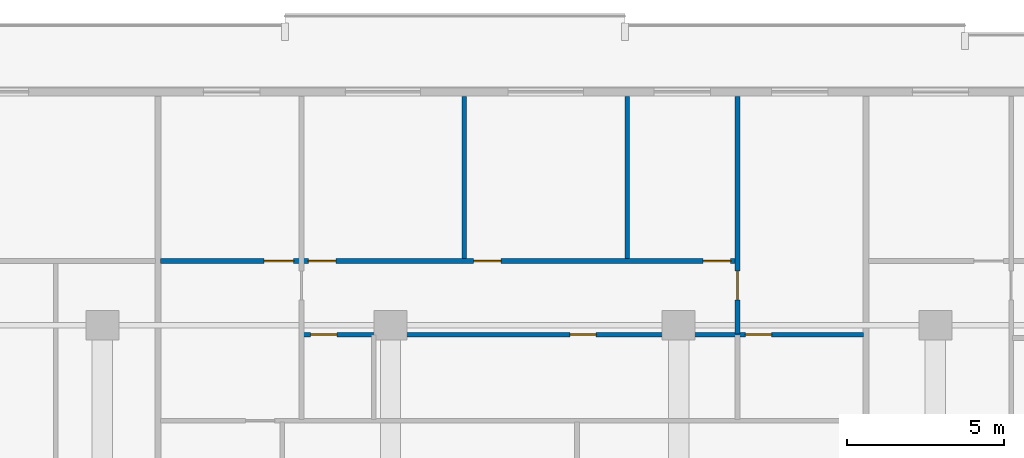
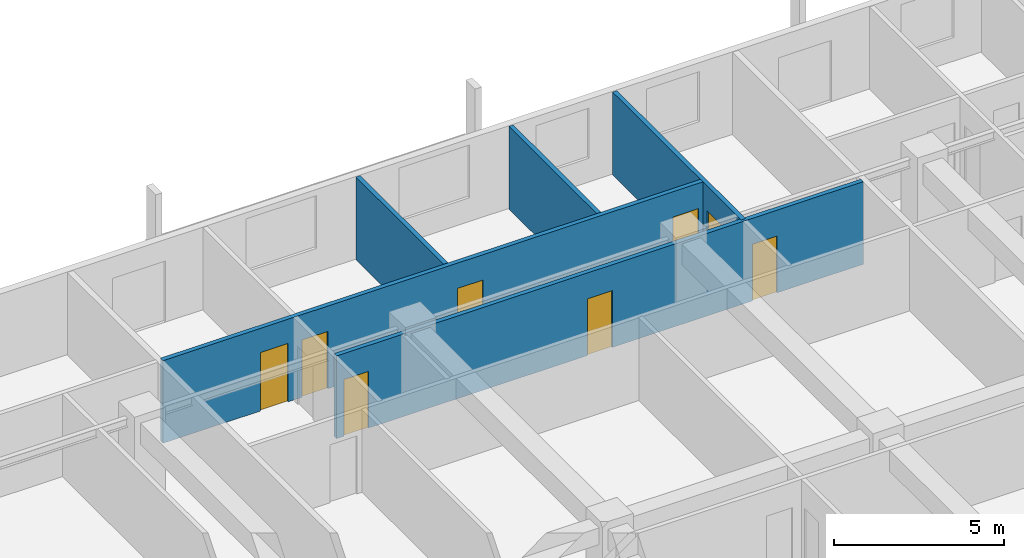
# One storey, part 15 of 23: 8 doors, 5 walls, 8 openings.
"""IFC4 building model written with IfcOpenShell, lengths in metres."""

from ifc_helpers import new_model, si_unit, direction, frame, frame_2d, origin, place, context, subcontext, project, spatial, rectangle, extrude, material, layer, layer_set, type_object, element, fill, save


model = new_model("IFC4")

# Units and contexts
model_context = context("Model", 3, precision=1e-05, world=origin(), true_north=direction((0.0, 1.0)))
body_context = subcontext(model_context, "Body", "Model", "MODEL_VIEW")
ifc_project = project(units=[si_unit("LENGTHUNIT", "METRE"), si_unit("AREAUNIT", "SQUARE_METRE"), si_unit("VOLUMEUNIT", "CUBIC_METRE"), si_unit("PLANEANGLEUNIT", "RADIAN"), si_unit("MASSUNIT", "GRAM", prefix="KILO")], contexts=[model_context])

# Site, building, storey
site_placement = place(None, origin())
site = spatial("IfcSite", under=ifc_project, at=site_placement, CompositionType="ELEMENT")
building_placement = place(site_placement, origin())
building = spatial("IfcBuilding", under=site, at=building_placement, Name="Korimba Cascade Residences", CompositionType="ELEMENT")
storey_placement = place(building_placement, frame((0.0, 0.0, 56.5)))
storey = spatial("IfcBuildingStorey", under=building, at=storey_placement, Name="L15", CompositionType="ELEMENT", Elevation=56.5)

# Walls
ifc_material_1 = material(Name="Insulated Acoustic Stud Partition", Category="gypsum")
ifc_layer = layer(ifc_material_1, 0.14990234375)
ifc_layer_set = layer_set([ifc_layer], Name="Insulated Acoustic Stud Partition")
wall_type = type_object("IfcWallType", Name="WAL-PART-150", PredefinedType="PARTITIONING", material=ifc_layer_set)
for number, where, z_axis, x_axis, name in (
    (1, (105.25732421875, 93.330078125, 0.0), (0.0, 0.0, 1.0), (0.0, 1.0, 0.0), "L15 Partition Wall WAL-L15-T1-U03-VB2"),
    (2, (110.457275390625, 93.330078125, 0.0), (0.0, 0.0, 1.0), (0.0, 1.0, 0.0), "L15 Partition Wall WAL-L15-T1-U03-VB3"),
):
    element("IfcWall", number, at=place(storey_placement, frame(where, z_axis=z_axis, x_axis=x_axis)), inside=storey, type_object=wall_type, Name=name, PredefinedType="PARTITIONING", context=body_context, shape_type="SweptSolid", body=[
        extrude(rectangle(XDim=5.169921875, YDim=0.14990234375, at=frame_2d((2.5849609375, 0.0))), origin(), (0.0, 0.0, 1.0), 2.969970703125),
    ])

# Wall, opening, door
wall_1_placement = place(storey_placement, frame((113.97998046875, 90.919921875, 0.0), z_axis=(0.0, 0.0, 1.0), x_axis=(0.0, 1.0, 0.0)))
wall_1 = element("IfcWall", 3, at=wall_1_placement, inside=storey, type_object=wall_type, Name="L15 Partition Wall WAL-L15-T1-U03-V2FULL", PredefinedType="PARTITIONING", context=body_context, shape_type="SweptSolid", body=[
    extrude(rectangle(XDim=7.580078125, YDim=0.14990234375, at=frame_2d((3.7900390625, 0.0))), origin(), (0.0, 0.0, 1.0), 2.969970703125),
])
opening_1_placement = place(wall_1_placement, frame((1.090087890625, 0.0, 0.0)))
opening_1 = element("IfcOpeningElement", 4, at=opening_1_placement, cuts=wall_1, Name="Opening D-IN1", PredefinedType="OPENING", context=body_context, shape_type="SweptSolid", body=[
    extrude(rectangle(XDim=0.919921875, YDim=2.080078125, at=frame_2d((0.4599609375, 1.0400390625))), frame((0.0, 0.0849609375, 0.0), z_axis=(0.0, -1.0, 0.0), x_axis=(1.0, 0.0, 0.0)), (0.0, 0.0, 1.0), 0.169921875),
])
ifc_material_2 = material(Name="Acoustic Timber Living Door", Category="wood")
door_type_1 = type_object("IfcDoorType", Name="DR-INT-920", OperationType="NOTDEFINED", PredefinedType="DOOR", material=ifc_material_2)
door_1_placement = place(opening_1_placement, origin())
door_1 = element("IfcDoor", 5, at=door_1_placement, inside=storey, type_object=door_type_1, Name="L15-T1-U03 Master Bedroom Door", OperationType="SINGLE_SWING_LEFT", OverallHeight=2.080078125, OverallWidth=0.919921875, PredefinedType="DOOR", context=body_context, shape_type="SweptSolid", body=[
    extrude(rectangle(XDim=0.919921875, YDim=2.080078125, at=frame_2d((0.4599609375, 1.0400390625))), frame((0.0, 0.02490234375, 0.0), z_axis=(0.0, -1.0, 0.0), x_axis=(1.0, 0.0, 0.0)), (0.0, 0.0, 1.0), 0.050048828125),
])
fill(opening_1, door_1)

# Wall, openings, doors
wall_2_placement = place(storey_placement, frame((100.097412109375, 90.89990234375, 0.0), z_axis=(0.0, 0.0, 1.0), x_axis=(1.0, 0.0, 0.0)))
wall_2 = element("IfcWall", 6, at=wall_2_placement, inside=storey, type_object=wall_type, Name="L15 Partition Wall WAL-L15-T1-U03-HWALL", PredefinedType="PARTITIONING", context=body_context, shape_type="SweptSolid", body=[
    extrude(rectangle(XDim=17.90576171875, YDim=0.14990234375, at=frame_2d((8.952880859375, 0.0))), origin(), (0.0, 0.0, 1.0), 2.969970703125),
])
opening_2_placement = place(wall_2_placement, frame((0.25, 0.0, 0.0)))
opening_2 = element("IfcOpeningElement", 7, at=opening_2_placement, cuts=wall_2, Name="Opening D-BT1", PredefinedType="OPENING", context=body_context, shape_type="SweptSolid", body=[
    extrude(rectangle(XDim=0.840087890625, YDim=2.0400390625, at=frame_2d((0.419921875, 1.02001953125))), frame((0.0, 0.0849609375, 0.0), z_axis=(0.0, -1.0, 0.0), x_axis=(1.0, 0.0, 0.0)), (0.0, 0.0, 1.0), 0.169921875),
])
opening_3_placement = place(wall_2_placement, frame((8.532958984375, 0.0, 0.0)))
opening_3 = element("IfcOpeningElement", 8, at=opening_3_placement, cuts=wall_2, Name="Opening D-BT1", PredefinedType="OPENING", context=body_context, shape_type="SweptSolid", body=[
    extrude(rectangle(XDim=0.840087890625, YDim=2.0400390625, at=frame_2d((0.419921875, 1.02001953125))), frame((0.0, 0.0849609375, 0.0), z_axis=(0.0, -1.0, 0.0), x_axis=(1.0, 0.0, 0.0)), (0.0, 0.0, 1.0), 0.169921875),
])
opening_4_placement = place(wall_2_placement, frame((14.1328125, 0.0, 0.0)))
opening_4 = element("IfcOpeningElement", 9, at=opening_4_placement, cuts=wall_2, Name="Opening D-BT1", PredefinedType="OPENING", context=body_context, shape_type="SweptSolid", body=[
    extrude(rectangle(XDim=0.840087890625, YDim=2.0400390625, at=frame_2d((0.419921875, 1.02001953125))), frame((0.0, 0.0849609375, 0.0), z_axis=(0.0, -1.0, 0.0), x_axis=(1.0, 0.0, 0.0)), (0.0, 0.0, 1.0), 0.169921875),
])
ifc_material_3 = material(Name="Moisture-Resistant Bathroom Timber Door", Category="wood")
door_type_2 = type_object("IfcDoorType", Name="DR-INT-850", OperationType="NOTDEFINED", PredefinedType="DOOR", material=ifc_material_3)
door_2_placement = place(opening_2_placement, origin())
door_2 = element("IfcDoor", 10, at=door_2_placement, inside=storey, type_object=door_type_2, Name="L15-T1-U03 Family Bathroom Door", OperationType="SINGLE_SWING_RIGHT", OverallHeight=2.0400390625, OverallWidth=0.840087890625, PredefinedType="DOOR", context=body_context, shape_type="SweptSolid", body=[
    extrude(rectangle(XDim=0.840087890625, YDim=2.0400390625, at=frame_2d((0.419921875, 1.02001953125))), frame((0.0, 0.02490234375, 0.0), z_axis=(0.0, -1.0, 0.0), x_axis=(1.0, 0.0, 0.0)), (0.0, 0.0, 1.0), 0.050048828125),
])
fill(opening_2, door_2)
door_3_placement = place(opening_3_placement, origin())
door_3 = element("IfcDoor", 11, at=door_3_placement, inside=storey, type_object=door_type_2, Name="L15-T1-U03 Dressing Room Door", OperationType="SINGLE_SWING_LEFT", OverallHeight=2.0400390625, OverallWidth=0.840087890625, PredefinedType="DOOR", context=body_context, shape_type="SweptSolid", body=[
    extrude(rectangle(XDim=0.840087890625, YDim=2.0400390625, at=frame_2d((0.419921875, 1.02001953125))), frame((0.0, 0.02490234375, 0.0), z_axis=(0.0, -1.0, 0.0), x_axis=(1.0, 0.0, 0.0)), (0.0, 0.0, 1.0), 0.050048828125),
])
fill(opening_3, door_3)
door_4_placement = place(opening_4_placement, origin())
door_4 = element("IfcDoor", 12, at=door_4_placement, inside=storey, type_object=door_type_2, Name="L15-T1-U03 En-Suite Door", OperationType="SINGLE_SWING_RIGHT", OverallHeight=2.0400390625, OverallWidth=0.840087890625, PredefinedType="DOOR", context=body_context, shape_type="SweptSolid", body=[
    extrude(rectangle(XDim=0.840087890625, YDim=2.0400390625, at=frame_2d((0.419921875, 1.02001953125))), frame((0.0, 0.02490234375, 0.0), z_axis=(0.0, -1.0, 0.0), x_axis=(1.0, 0.0, 0.0)), (0.0, 0.0, 1.0), 0.050048828125),
])
fill(opening_4, door_4)

wall_3_placement = place(storey_placement, frame((95.557373046875, 93.25, 0.0), z_axis=(0.0, 0.0, 1.0), x_axis=(1.0, 0.0, 0.0)))
wall_3 = element("IfcWall", 13, at=wall_3_placement, inside=storey, type_object=wall_type, Name="L15 Partition Wall WAL-L15-T1-U03-HZ", PredefinedType="PARTITIONING", context=body_context, shape_type="SweptSolid", body=[
    extrude(rectangle(XDim=18.422607421875, YDim=0.14990234375, at=frame_2d((9.21142578125, 0.0))), origin(), (0.0, 0.0, 1.0), 2.969970703125),
])
opening_5_placement = place(wall_3_placement, frame((3.31005859375, 0.0, 0.0)))
opening_5 = element("IfcOpeningElement", 14, at=opening_5_placement, cuts=wall_3, Name="Opening D-IN0", PredefinedType="OPENING", context=body_context, shape_type="SweptSolid", body=[
    extrude(rectangle(XDim=0.93994140625, YDim=2.10009765625, at=frame_2d((0.469970703125, 1.050048828125))), frame((0.0, 0.0849609375, 0.0), z_axis=(0.0, -1.0, 0.0), x_axis=(1.0, 0.0, 0.0)), (0.0, 0.0, 1.0), 0.169921875),
])
opening_6_placement = place(wall_3_placement, frame((4.719970703125, 0.0, 0.0)))
opening_6 = element("IfcOpeningElement", 15, at=opening_6_placement, cuts=wall_3, Name="Opening D-IN2", PredefinedType="OPENING", context=body_context, shape_type="SweptSolid", body=[
    extrude(rectangle(XDim=0.8798828125, YDim=2.06005859375, at=frame_2d((0.43994140625, 1.030029296875))), frame((0.0, 0.0849609375, 0.0), z_axis=(0.0, -1.0, 0.0), x_axis=(1.0, 0.0, 0.0)), (0.0, 0.0, 1.0), 0.169921875),
])
opening_7_placement = place(wall_3_placement, frame((9.99755859375, 0.0, 0.0)))
opening_7 = element("IfcOpeningElement", 16, at=opening_7_placement, cuts=wall_3, Name="Opening D-IN2", PredefinedType="OPENING", context=body_context, shape_type="SweptSolid", body=[
    extrude(rectangle(XDim=0.8798828125, YDim=2.06005859375, at=frame_2d((0.43994140625, 1.030029296875))), frame((0.0, 0.0849609375, 0.0), z_axis=(0.0, -1.0, 0.0), x_axis=(1.0, 0.0, 0.0)), (0.0, 0.0, 1.0), 0.169921875),
])
opening_8_placement = place(wall_3_placement, frame((17.32275390625, 0.0, 0.0)))
opening_8 = element("IfcOpeningElement", 17, at=opening_8_placement, cuts=wall_3, Name="Opening D-IN2", PredefinedType="OPENING", context=body_context, shape_type="SweptSolid", body=[
    extrude(rectangle(XDim=0.8798828125, YDim=2.06005859375, at=frame_2d((0.43994140625, 1.030029296875))), frame((0.0, 0.0849609375, 0.0), z_axis=(0.0, -1.0, 0.0), x_axis=(1.0, 0.0, 0.0)), (0.0, 0.0, 1.0), 0.169921875),
])
ifc_material_4 = material(Name="Acoustic Timber Bedroom Door", Category="wood")
door_type_3 = type_object("IfcDoorType", Name="DR-INT-880", OperationType="NOTDEFINED", PredefinedType="DOOR", material=ifc_material_4)
door_5_placement = place(opening_6_placement, origin())
door_5 = element("IfcDoor", 18, at=door_5_placement, inside=storey, type_object=door_type_3, Name="L15-T1-U03 Bedroom 2 Door", OperationType="SINGLE_SWING_LEFT", OverallHeight=2.06005859375, OverallWidth=0.8798828125, PredefinedType="DOOR", context=body_context, shape_type="SweptSolid", body=[
    extrude(rectangle(XDim=0.8798828125, YDim=2.06005859375, at=frame_2d((0.43994140625, 1.030029296875))), frame((0.0, 0.02490234375, 0.0), z_axis=(0.0, -1.0, 0.0), x_axis=(1.0, 0.0, 0.0)), (0.0, 0.0, 1.0), 0.050048828125),
])
fill(opening_6, door_5)
door_6_placement = place(opening_7_placement, origin())
door_6 = element("IfcDoor", 19, at=door_6_placement, inside=storey, type_object=door_type_3, Name="L15-T1-U03 Bedroom 3 Door", OperationType="SINGLE_SWING_RIGHT", OverallHeight=2.06005859375, OverallWidth=0.8798828125, PredefinedType="DOOR", context=body_context, shape_type="SweptSolid", body=[
    extrude(rectangle(XDim=0.8798828125, YDim=2.06005859375, at=frame_2d((0.43994140625, 1.030029296875))), frame((0.0, 0.02490234375, 0.0), z_axis=(0.0, -1.0, 0.0), x_axis=(1.0, 0.0, 0.0)), (0.0, 0.0, 1.0), 0.050048828125),
])
fill(opening_7, door_6)
door_7_placement = place(opening_8_placement, origin())
door_7 = element("IfcDoor", 20, at=door_7_placement, inside=storey, type_object=door_type_3, Name="L15-T1-U03 Study Door", OperationType="SINGLE_SWING_LEFT", OverallHeight=2.06005859375, OverallWidth=0.8798828125, PredefinedType="DOOR", context=body_context, shape_type="SweptSolid", body=[
    extrude(rectangle(XDim=0.8798828125, YDim=2.06005859375, at=frame_2d((0.43994140625, 1.030029296875))), frame((0.0, 0.02490234375, 0.0), z_axis=(0.0, -1.0, 0.0), x_axis=(1.0, 0.0, 0.0)), (0.0, 0.0, 1.0), 0.050048828125),
])
fill(opening_8, door_7)
ifc_material_5 = material(Name="Acoustic Timber Living Archway Door", Category="wood")
door_type_4 = type_object("IfcDoorType", Name="DR-INT-950", OperationType="NOTDEFINED", PredefinedType="DOOR", material=ifc_material_5)
door_8_placement = place(opening_5_placement, origin())
door_8 = element("IfcDoor", 21, at=door_8_placement, inside=storey, type_object=door_type_4, Name="L15-T1-U03 Living Room Door", OperationType="SINGLE_SWING_RIGHT", OverallHeight=2.10009765625, OverallWidth=0.93994140625, PredefinedType="DOOR", context=body_context, shape_type="SweptSolid", body=[
    extrude(rectangle(XDim=0.93994140625, YDim=2.10009765625, at=frame_2d((0.469970703125, 1.050048828125))), frame((0.0, 0.02490234375, 0.0), z_axis=(0.0, -1.0, 0.0), x_axis=(1.0, 0.0, 0.0)), (0.0, 0.0, 1.0), 0.050048828125),
])
fill(opening_5, door_8)

save(model, "model.ifc")
